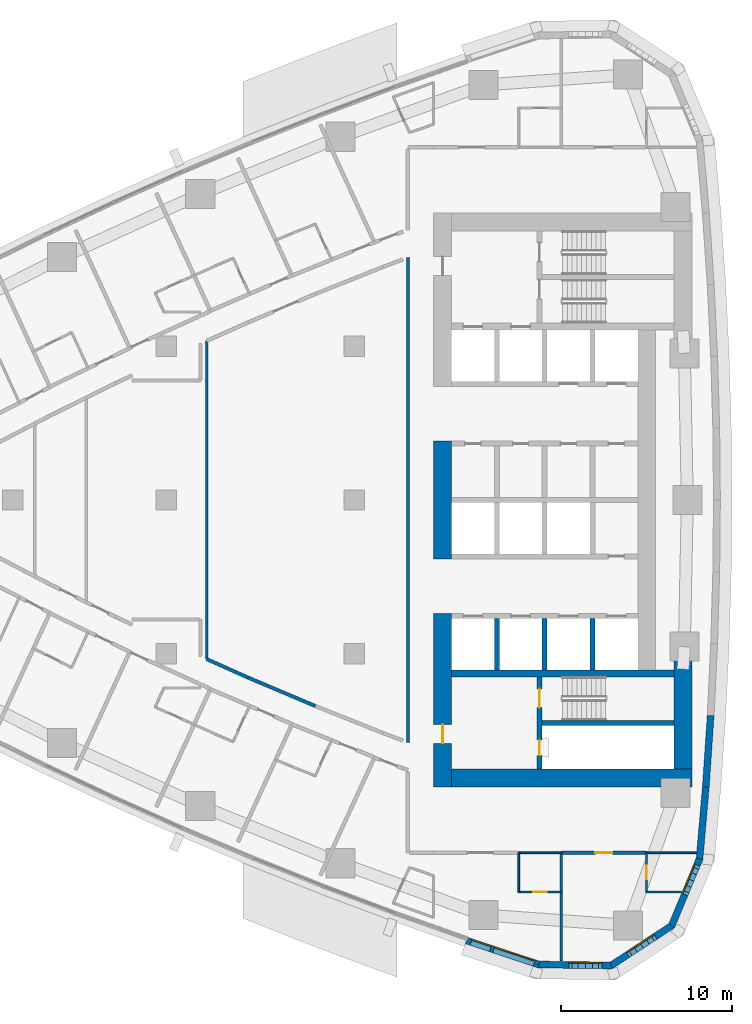
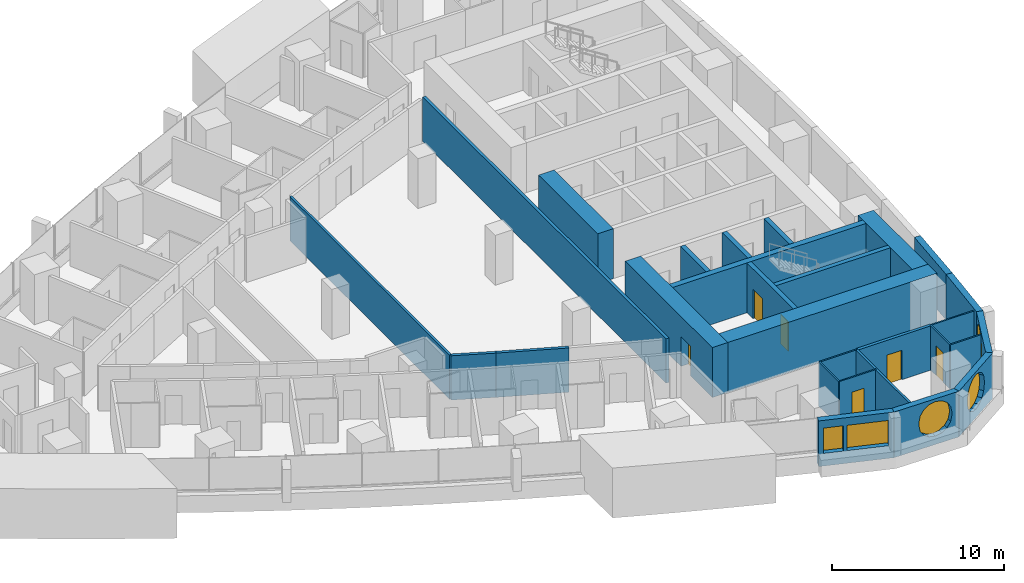
# One storey, part 10 of 17: 28 walls, 6 doors, 5 windows, 11 openings.
"""IFC4 building model written with IfcOpenShell, lengths in metres."""

from ifc_helpers import new_model, si_unit, direction, frame, frame_2d, origin, place, context, subcontext, project, spatial, polyline, rectangle, outline, extrude, material, layer, layer_set, type_object, element, fill, save


model = new_model("IFC4")

# Units and contexts
model_context = context("Model", 3, precision=1e-05, world=origin(), true_north=direction((0.0, 1.0)))
body_context = subcontext(model_context, "Body", "Model", "MODEL_VIEW")
ifc_project = project(units=[si_unit("LENGTHUNIT", "METRE"), si_unit("AREAUNIT", "SQUARE_METRE"), si_unit("VOLUMEUNIT", "CUBIC_METRE"), si_unit("PLANEANGLEUNIT", "RADIAN"), si_unit("MASSUNIT", "GRAM", prefix="KILO")], contexts=[model_context])

# Site, building, storey
site_placement = place(None, origin())
site = spatial("IfcSite", under=ifc_project, at=site_placement, CompositionType="ELEMENT")
building_placement = place(site_placement, origin())
building = spatial("IfcBuilding", under=site, at=building_placement, Name="Ostrand Prow Hotel Tower", CompositionType="ELEMENT")
storey_placement = place(building_placement, frame((0.0, 0.0, 116.85009765625)))
storey = spatial("IfcBuildingStorey", under=building, at=storey_placement, Name="L28", CompositionType="ELEMENT", Elevation=116.85009765625)

# Wall
ifc_material_1 = material(Name="Concrete C80/95", Category="concrete")
ifc_layer_1 = layer(ifc_material_1, 1.050048828125)
ifc_layer_set_1 = layer_set([ifc_layer_1], Name="Concrete C80/95")
wall_type_1 = type_object("IfcWallType", Name="Core wall 1050 C80/95", PredefinedType="SHEAR", material=ifc_layer_set_1)
wall_1_placement = place(storey_placement, frame((50.175048828125, -3.449951171875, 0.0), z_axis=(0.0, 0.0, 1.0), x_axis=(0.0, 1.0, 0.0)))
element("IfcWall", 1, at=wall_1_placement, inside=storey, type_object=wall_type_1, Name="Core wall CW-W-C", PredefinedType="SHEAR", context=body_context, shape_type="SweptSolid", body=[
    extrude(rectangle(XDim=6.89990234375, YDim=1.050048828125, at=frame_2d((3.449951171875, 0.0))), origin(), (0.0, 0.0, 1.0), 3.5498046875),
])

# Wall, opening, door
wall_2_placement = place(storey_placement, frame((50.175048828125, -16.800048828125, 0.0), z_axis=(0.0, 0.0, 1.0), x_axis=(0.0, 1.0, 0.0)))
wall_2 = element("IfcWall", 2, at=wall_2_placement, inside=storey, type_object=wall_type_1, Name="Core wall CW-W-S", PredefinedType="SHEAR", context=body_context, shape_type="SweptSolid", body=[
    extrude(rectangle(XDim=10.150146484375, YDim=1.050048828125, at=frame_2d((5.0751953125, 0.0))), origin(), (0.0, 0.0, 1.0), 3.5498046875),
])
opening_1_placement = place(wall_2_placement, frame((2.550048828125, 0.0, 0.0)))
opening_1 = element("IfcOpeningElement", 3, at=opening_1_placement, cuts=wall_2, Name="Opening FD1", PredefinedType="OPENING", context=body_context, shape_type="SweptSolid", body=[
    extrude(rectangle(XDim=1.10009765625, YDim=2.10009765625, at=frame_2d((0.550048828125, 1.050048828125))), frame((0.0, 0.534912109375, 0.0), z_axis=(0.0, -1.0, 0.0), x_axis=(1.0, 0.0, 0.0)), (0.0, 0.0, 1.0), 1.070068359375),
])
ifc_material_2 = material(Name="Steel fire door", Category="steel")
door_type_1 = type_object("IfcDoorType", Name="Fire door 1100 EI120", OperationType="SINGLE_SWING_RIGHT", PredefinedType="DOOR", material=ifc_material_2)
door_1_placement = place(opening_1_placement, origin())
door_1 = element("IfcDoor", 4, at=door_1_placement, inside=storey, type_object=door_type_1, Name="FIRE DOOR", OperationType="SINGLE_SWING_RIGHT", OverallHeight=2.10009765625, OverallWidth=1.10009765625, PredefinedType="DOOR", context=body_context, shape_type="SweptSolid", body=[
    extrude(rectangle(XDim=1.10009765625, YDim=2.10009765625, at=frame_2d((0.550048828125, 1.050048828125))), frame((0.0, 0.02490234375, 0.0), z_axis=(0.0, -1.0, 0.0), x_axis=(1.0, 0.0, 0.0)), (0.0, 0.0, 1.0), 0.050048828125),
])
fill(opening_1, door_1)

# Walls
wall_3_placement = place(storey_placement, frame((50.699951171875, -16.27490234375, 0.0), z_axis=(0.0, 0.0, 1.0), x_axis=(1.0, 0.0, 0.0)))
element("IfcWall", 5, at=wall_3_placement, inside=storey, type_object=wall_type_1, Name="Core wall CW-S", PredefinedType="SHEAR", context=body_context, shape_type="SweptSolid", body=[
    extrude(rectangle(XDim=14.070068359375, YDim=1.050048828125, at=frame_2d((7.03515625, 0.0))), origin(), (0.0, 0.0, 1.0), 3.5498046875),
])
wall_4_placement = place(storey_placement, frame((64.2451171875, -15.75, 0.0), z_axis=(0.0, 0.0, 1.0), x_axis=(0.0, 1.0, 0.0)))
element("IfcWall", 6, at=wall_4_placement, inside=storey, type_object=wall_type_1, Name="Core wall CW-E-S", PredefinedType="SHEAR", context=body_context, shape_type="SweptSolid", body=[
    extrude(rectangle(XDim=6.361328125, YDim=1.050048828125, at=frame_2d((3.1806640625, 0.0))), origin(), (0.0, 0.0, 1.0), 3.5498046875),
])
ifc_material_3 = material(Name="Concrete C80/95", Category="concrete")
ifc_layer_2 = layer(ifc_material_3, 0.300048828125)
ifc_layer_set_2 = layer_set([ifc_layer_2], Name="Concrete C80/95")
wall_type_2 = type_object("IfcWallType", Name="Core wall 300 C80/95", PredefinedType="SHEAR", material=ifc_layer_set_2)
for number, where, z_axis, x_axis, name in (
    (7, (53.35009765625, -9.949951171875, 0.0), (0.0, 0.0, 1.0), (0.0, 1.0, 0.0), "Core wall PW-R1-SA"),
    (8, (56.14990234375, -9.949951171875, 0.0), (0.0, 0.0, 1.0), (0.0, 1.0, 0.0), "Core wall PW-R2-SA"),
    (9, (58.949951171875, -9.949951171875, 0.0), (0.0, 0.0, 1.0), (0.0, 1.0, 0.0), "Core wall PW-R3-SA"),
):
    element("IfcWall", number, at=place(storey_placement, frame(where, z_axis=z_axis, x_axis=x_axis)), inside=storey, type_object=wall_type_2, Name=name, PredefinedType="SHEAR", context=body_context, shape_type="SweptSolid", body=[
        extrude(rectangle(XDim=3.0, YDim=0.300048828125, at=frame_2d((1.5, 0.0))), origin(), (0.0, 0.0, 1.0), 3.5498046875),
    ])

# Wall, openings, doors
wall_5_placement = place(storey_placement, frame((55.85009765625, -15.75, 0.0), z_axis=(0.0, 0.0, 1.0), x_axis=(0.0, 1.0, 0.0)))
wall_5 = element("IfcWall", 10, at=wall_5_placement, inside=storey, type_object=wall_type_2, Name="Core wall PW-VS", PredefinedType="SHEAR", context=body_context, shape_type="SweptSolid", body=[
    extrude(rectangle(XDim=5.39990234375, YDim=0.300048828125, at=frame_2d((2.699951171875, 0.0))), origin(), (0.0, 0.0, 1.0), 3.5498046875),
])
opening_2_placement = place(wall_5_placement, frame((3.60009765625, 0.0, 0.0)))
opening_2 = element("IfcOpeningElement", 11, at=opening_2_placement, cuts=wall_5, Name="Opening FD1", PredefinedType="OPENING", context=body_context, shape_type="SweptSolid", body=[
    extrude(rectangle(XDim=1.10009765625, YDim=2.10009765625, at=frame_2d((0.550048828125, 1.050048828125))), frame((0.0, 0.159912109375, 0.0), z_axis=(0.0, -1.0, 0.0), x_axis=(1.0, 0.0, 0.0)), (0.0, 0.0, 1.0), 0.320068359375),
])
opening_3_placement = place(wall_5_placement, frame((0.800048828125, 0.0, 0.0)))
opening_3 = element("IfcOpeningElement", 12, at=opening_3_placement, cuts=wall_5, Name="Opening FD2", PredefinedType="OPENING", context=body_context, shape_type="SweptSolid", body=[
    extrude(rectangle(XDim=0.89990234375, YDim=2.10009765625, at=frame_2d((0.449951171875, 1.050048828125))), frame((0.0, 0.159912109375, 0.0), z_axis=(0.0, -1.0, 0.0), x_axis=(1.0, 0.0, 0.0)), (0.0, 0.0, 1.0), 0.320068359375),
])
door_2_placement = place(opening_2_placement, origin())
door_2 = element("IfcDoor", 13, at=door_2_placement, inside=storey, type_object=door_type_1, Name="FIRE DOOR", OperationType="SINGLE_SWING_RIGHT", OverallHeight=2.10009765625, OverallWidth=1.10009765625, PredefinedType="DOOR", context=body_context, shape_type="SweptSolid", body=[
    extrude(rectangle(XDim=1.10009765625, YDim=2.10009765625, at=frame_2d((0.550048828125, 1.050048828125))), frame((0.0, 0.02490234375, 0.0), z_axis=(0.0, -1.0, 0.0), x_axis=(1.0, 0.0, 0.0)), (0.0, 0.0, 1.0), 0.050048828125),
])
fill(opening_2, door_2)
ifc_material_4 = material(Name="Steel fire door", Category="steel")
door_type_2 = type_object("IfcDoorType", Name="Fire door 900 EI120", OperationType="SINGLE_SWING_LEFT", PredefinedType="DOOR", material=ifc_material_4)
door_3_placement = place(opening_3_placement, origin())
door_3 = element("IfcDoor", 14, at=door_3_placement, inside=storey, type_object=door_type_2, Name="FIRE DOOR", OperationType="SINGLE_SWING_LEFT", OverallHeight=2.10009765625, OverallWidth=0.89990234375, PredefinedType="DOOR", context=body_context, shape_type="SweptSolid", body=[
    extrude(rectangle(XDim=0.89990234375, YDim=2.10009765625, at=frame_2d((0.449951171875, 1.050048828125))), frame((0.0, 0.02490234375, 0.0), z_axis=(0.0, -1.0, 0.0), x_axis=(1.0, 0.0, 0.0)), (0.0, 0.0, 1.0), 0.050048828125),
])
fill(opening_3, door_3)

# Walls
wall_6_placement = place(storey_placement, frame((56.0, -13.050048828125, 0.0), z_axis=(0.0, 0.0, 1.0), x_axis=(1.0, 0.0, 0.0)))
element("IfcWall", 15, at=wall_6_placement, inside=storey, type_object=wall_type_2, Name="Core wall PW-ST2R", PredefinedType="SHEAR", context=body_context, shape_type="SweptSolid", body=[
    extrude(rectangle(XDim=7.719970703125, YDim=0.300048828125, at=frame_2d((3.85986328125, 0.0))), origin(), (0.0, 0.0, 1.0), 3.5498046875),
])
ifc_material_5 = material(Name="Concrete C80/95", Category="concrete")
ifc_layer_3 = layer(ifc_material_5, 0.39990234375)
ifc_layer_set_3 = layer_set([ifc_layer_3], Name="Concrete C80/95")
wall_type_3 = type_object("IfcWallType", Name="Core wall 400 C80/95", PredefinedType="SHEAR", material=ifc_layer_set_3)
wall_7_placement = place(storey_placement, frame((50.699951171875, -10.14990234375, 0.0), z_axis=(0.0, 0.0, 1.0), x_axis=(1.0, 0.0, 0.0)))
element("IfcWall", 16, at=wall_7_placement, inside=storey, type_object=wall_type_3, Name="Core wall PW-BS", PredefinedType="SHEAR", context=body_context, shape_type="SweptSolid", body=[
    extrude(rectangle(XDim=13.02001953125, YDim=0.39990234375, at=frame_2d((6.510009765625, 0.0))), origin(), (0.0, 0.0, 1.0), 3.5498046875),
])
ifc_material_6 = material(Name="Plasterboard partition")
ifc_layer_4 = layer(ifc_material_6, 0.10009765625)
ifc_layer_set_4 = layer_set([ifc_layer_4], Name="Plasterboard partition")
wall_type_4 = type_object("IfcWallType", Name="Partition 100 bathroom wall", PredefinedType="PARTITIONING", material=ifc_layer_set_4)
wall_8_placement = place(storey_placement, frame((54.630615234375, -22.949951171875, 0.0), z_axis=(0.0, 0.0, 1.0), x_axis=(0.0, 1.0, 0.0)))
element("IfcWall", 17, at=wall_8_placement, inside=storey, type_object=wall_type_4, Name="BATHROOM WALL", PredefinedType="PARTITIONING", context=body_context, shape_type="SweptSolid", body=[
    extrude(rectangle(XDim=2.300048828125, YDim=0.10009765625, at=frame_2d((1.14990234375, 0.0))), origin(), (0.0, 0.0, 1.0), 3.14990234375),
])

# Wall, opening, door
wall_9_placement = place(storey_placement, frame((57.130615234375, -22.949951171875, 0.0), z_axis=(0.0, 0.0, 1.0), x_axis=(-1.0, 0.0, 0.0)))
wall_9 = element("IfcWall", 18, at=wall_9_placement, inside=storey, type_object=wall_type_4, Name="BATHROOM WALL", PredefinedType="PARTITIONING", context=body_context, shape_type="SweptSolid", body=[
    extrude(rectangle(XDim=2.5, YDim=0.10009765625, at=frame_2d((1.25, 0.0))), origin(), (0.0, 0.0, 1.0), 3.14990234375),
])
opening_4_placement = place(wall_9_placement, frame((0.85009765625, 0.0, 0.0)))
opening_4 = element("IfcOpeningElement", 19, at=opening_4_placement, cuts=wall_9, Name="Opening D2", PredefinedType="OPENING", context=body_context, shape_type="SweptSolid", body=[
    extrude(rectangle(XDim=0.800048828125, YDim=2.10009765625, at=frame_2d((0.39990234375, 1.050048828125))), frame((0.0, 0.06005859375, 0.0), z_axis=(0.0, -1.0, 0.0), x_axis=(1.0, 0.0, 0.0)), (0.0, 0.0, 1.0), 0.1201171875),
])
ifc_material_7 = material(Name="Timber door leaf", Category="wood")
door_type_3 = type_object("IfcDoorType", Name="Bathroom door 800", OperationType="SINGLE_SWING_LEFT", PredefinedType="DOOR", material=ifc_material_7)
door_4_placement = place(opening_4_placement, origin())
door_4 = element("IfcDoor", 20, at=door_4_placement, inside=storey, type_object=door_type_3, Name="DOOR", OperationType="SINGLE_SWING_LEFT", OverallHeight=2.10009765625, OverallWidth=0.800048828125, PredefinedType="DOOR", context=body_context, shape_type="SweptSolid", body=[
    extrude(rectangle(XDim=0.800048828125, YDim=2.10009765625, at=frame_2d((0.39990234375, 1.050048828125))), frame((0.0, 0.02490234375, 0.0), z_axis=(0.0, -1.0, 0.0), x_axis=(1.0, 0.0, 0.0)), (0.0, 0.0, 1.0), 0.050048828125),
])
fill(opening_4, door_4)

# Wall
wall_10_placement = place(storey_placement, frame((64.160400390625, -22.949951171875, 0.0), z_axis=(0.0, 0.0, 1.0), x_axis=(-1.0, 0.0, 0.0)))
element("IfcWall", 21, at=wall_10_placement, inside=storey, type_object=wall_type_4, Name="BATHROOM WALL", PredefinedType="PARTITIONING", context=body_context, shape_type="SweptSolid", body=[
    extrude(rectangle(XDim=2.04931640625, YDim=0.10009765625, at=frame_2d((1.024658203125, 0.0))), origin(), (0.0, 0.0, 1.0), 3.14990234375),
])

# Wall, opening, door
wall_11_placement = place(storey_placement, frame((62.111083984375, -22.949951171875, 0.0), z_axis=(0.0, 0.0, 1.0), x_axis=(0.0, 1.0, 0.0)))
wall_11 = element("IfcWall", 22, at=wall_11_placement, inside=storey, type_object=wall_type_4, Name="BATHROOM WALL", PredefinedType="PARTITIONING", context=body_context, shape_type="SweptSolid", body=[
    extrude(rectangle(XDim=2.300048828125, YDim=0.10009765625, at=frame_2d((1.14990234375, 0.0))), origin(), (0.0, 0.0, 1.0), 3.14990234375),
])
opening_5_placement = place(wall_11_placement, frame((0.75, 0.0, 0.0)))
opening_5 = element("IfcOpeningElement", 23, at=opening_5_placement, cuts=wall_11, Name="Opening D2", PredefinedType="OPENING", context=body_context, shape_type="SweptSolid", body=[
    extrude(rectangle(XDim=0.800048828125, YDim=2.10009765625, at=frame_2d((0.39990234375, 1.050048828125))), frame((0.0, 0.06005859375, 0.0), z_axis=(0.0, -1.0, 0.0), x_axis=(1.0, 0.0, 0.0)), (0.0, 0.0, 1.0), 0.1201171875),
])
door_5_placement = place(opening_5_placement, origin())
door_5 = element("IfcDoor", 24, at=door_5_placement, inside=storey, type_object=door_type_3, Name="DOOR", OperationType="SINGLE_SWING_LEFT", OverallHeight=2.10009765625, OverallWidth=0.800048828125, PredefinedType="DOOR", context=body_context, shape_type="SweptSolid", body=[
    extrude(rectangle(XDim=0.800048828125, YDim=2.10009765625, at=frame_2d((0.39990234375, 1.050048828125))), frame((0.0, 0.02490234375, 0.0), z_axis=(0.0, -1.0, 0.0), x_axis=(1.0, 0.0, 0.0)), (0.0, 0.0, 1.0), 0.050048828125),
])
fill(opening_5, door_5)

# Walls
wall_12_placement = place(storey_placement, frame((54.630615234375, -20.655029296875, 0.0), z_axis=(0.0, 0.0, 1.0), x_axis=(1.0, 0.0, 0.0)))
element("IfcWall", 25, at=wall_12_placement, inside=storey, type_object=wall_type_4, Name="BATHROOM WALL", PredefinedType="PARTITIONING", context=body_context, shape_type="SweptSolid", body=[
    extrude(rectangle(XDim=2.5, YDim=0.10009765625, at=frame_2d((1.25, 0.0))), origin(), (0.0, 0.0, 1.0), 3.14990234375),
])
wall_13_placement = place(storey_placement, frame((62.111083984375, -20.655029296875, 0.0), z_axis=(0.0, 0.0, 1.0), x_axis=(1.0, 0.0, 0.0)))
element("IfcWall", 26, at=wall_13_placement, inside=storey, type_object=wall_type_4, Name="BATHROOM WALL", PredefinedType="PARTITIONING", context=body_context, shape_type="SweptSolid", body=[
    extrude(rectangle(XDim=2.90576171875, YDim=0.10009765625, at=frame_2d((1.452880859375, 0.0))), origin(), (0.0, 0.0, 1.0), 3.14990234375),
])
ifc_material_8 = material(Name="Plasterboard partition")
ifc_layer_5 = layer(ifc_material_8, 0.14990234375)
ifc_layer_set_5 = layer_set([ifc_layer_5], Name="Plasterboard partition")
wall_type_5 = type_object("IfcWallType", Name="Partition 150 room partition", PredefinedType="PARTITIONING", material=ifc_layer_set_5)
wall_14_placement = place(storey_placement, frame((57.130615234375, -26.97900390625, 0.0), z_axis=(0.0, 0.0, 1.0), x_axis=(0.0, 1.0, 0.0)))
element("IfcWall", 27, at=wall_14_placement, inside=storey, type_object=wall_type_5, Name="ROOM PARTITION", PredefinedType="PARTITIONING", context=body_context, shape_type="SweptSolid", body=[
    extrude(rectangle(XDim=6.3291015625, YDim=0.14990234375, at=frame_2d((3.16455078125, 0.0))), origin(), (0.0, 0.0, 1.0), 3.14990234375),
])
wall_15_placement = place(storey_placement, frame((36.373779296875, -9.31689453125, 0.0), z_axis=(0.0, 0.0, 1.0), x_axis=(0.0, 1.0, 0.0)))
element("IfcWall", 28, at=wall_15_placement, inside=storey, type_object=wall_type_5, Name="ROOM PARTITION", PredefinedType="PARTITIONING", context=body_context, shape_type="SweptSolid", body=[
    extrude(rectangle(XDim=18.6337890625, YDim=0.14990234375, at=frame_2d((9.31689453125, 0.0))), origin(), (0.0, 0.0, 1.0), 3.14990234375),
])
ifc_material_9 = material(Name="Plasterboard partition")
ifc_layer_6 = layer(ifc_material_9, 0.199951171875)
ifc_layer_set_6 = layer_set([ifc_layer_6], Name="Plasterboard partition")
wall_type_6 = type_object("IfcWallType", Name="Partition 200 corridor wall", PredefinedType="PARTITIONING", material=ifc_layer_set_6)
wall_16_placement = place(storey_placement, frame((42.727783203125, -12.0615234375, 0.0), z_axis=(0.0, 0.0, 1.0), x_axis=(-0.921037415532, 0.389474105929, 0.0)))
element("IfcWall", 29, at=wall_16_placement, inside=storey, type_object=wall_type_6, Name="CORRIDOR WALL", PredefinedType="PARTITIONING", context=body_context, shape_type="SweptSolid", body=[
    extrude(rectangle(XDim=4.273193359375, YDim=0.199951171875, at=frame_2d((2.13671875, 0.0))), origin(), (0.0, 0.0, 1.0), 3.14990234375),
])
wall_17_placement = place(storey_placement, frame((38.7919921875, -10.397216796875, 0.0), z_axis=(0.0, 0.0, 1.0), x_axis=(-0.913030623494, 0.407891015544, 0.0)))
element("IfcWall", 30, at=wall_17_placement, inside=storey, type_object=wall_type_6, Name="CORRIDOR WALL", PredefinedType="PARTITIONING", context=body_context, shape_type="SweptSolid", body=[
    extrude(rectangle(XDim=2.6484375, YDim=0.199951171875, at=frame_2d((1.32421875, 0.0))), origin(), (0.0, 0.0, 1.0), 3.14990234375),
])

# Wall, opening, door
wall_18_placement = place(storey_placement, frame((57.135498046875, -20.655029296875, 0.0), z_axis=(0.0, 0.0, 1.0), x_axis=(1.0, 0.0, 0.0)))
wall_18 = element("IfcWall", 31, at=wall_18_placement, inside=storey, type_object=wall_type_6, Name="CORRIDOR WALL", PredefinedType="PARTITIONING", context=body_context, shape_type="SweptSolid", body=[
    extrude(rectangle(XDim=4.970703125, YDim=0.199951171875, at=frame_2d((2.4853515625, 0.0))), origin(), (0.0, 0.0, 1.0), 3.14990234375),
])
opening_6_placement = place(wall_18_placement, frame((1.9853515625, 0.0, 0.0)))
opening_6 = element("IfcOpeningElement", 32, at=opening_6_placement, cuts=wall_18, Name="Opening D1", PredefinedType="OPENING", context=body_context, shape_type="SweptSolid", body=[
    extrude(rectangle(XDim=1.0, YDim=2.10009765625, at=frame_2d((0.5, 1.050048828125))), frame((0.0, 0.10986328125, 0.0), z_axis=(0.0, -1.0, 0.0), x_axis=(1.0, 0.0, 0.0)), (0.0, 0.0, 1.0), 0.219970703125),
])
ifc_material_10 = material(Name="Timber door leaf", Category="wood")
door_type_4 = type_object("IfcDoorType", Name="Guest room door 1000", OperationType="SINGLE_SWING_LEFT", PredefinedType="DOOR", material=ifc_material_10)
door_6_placement = place(opening_6_placement, origin())
door_6 = element("IfcDoor", 33, at=door_6_placement, inside=storey, type_object=door_type_4, Name="DOOR", OperationType="SINGLE_SWING_LEFT", OverallHeight=2.10009765625, OverallWidth=1.0, PredefinedType="DOOR", context=body_context, shape_type="SweptSolid", body=[
    extrude(rectangle(XDim=1.0, YDim=2.10009765625, at=frame_2d((0.5, 1.050048828125))), frame((0.0, 0.02490234375, 0.0), z_axis=(0.0, -1.0, 0.0), x_axis=(1.0, 0.0, 0.0)), (0.0, 0.0, 1.0), 0.050048828125),
])
fill(opening_6, door_6)

# Wall
wall_19_placement = place(storey_placement, frame((48.14990234375, 14.188720703125, 0.0), z_axis=(0.0, 0.0, 1.0), x_axis=(0.0, -1.0, 0.0)))
element("IfcWall", 34, at=wall_19_placement, inside=storey, type_object=wall_type_6, Name="CORRIDOR WALL", PredefinedType="PARTITIONING", context=body_context, shape_type="SweptSolid", body=[
    extrude(rectangle(XDim=28.37744140625, YDim=0.199951171875, at=frame_2d((14.188720703125, 0.0))), origin(), (0.0, 0.0, 1.0), 3.14990234375),
])

# Wall, openings, windows
ifc_material_11 = material(Name="Precast concrete C40/50", Category="concrete")
ifc_layer_7 = layer(ifc_material_11, 0.39990234375)
ifc_layer_set_7 = layer_set([ifc_layer_7], Name="Precast concrete C40/50")
wall_type_7 = type_object("IfcWallType", Name="Stone-faced precast wall 400 mm", PredefinedType="NOTDEFINED", material=ifc_layer_set_7)
wall_20_placement = place(storey_placement, frame((51.56884765625, -25.786865234375, 0.0), z_axis=(0.0, 0.0, 1.0), x_axis=(0.94925004851, -0.314522408429, 0.0)))
wall_20 = element("IfcWall", 35, at=wall_20_placement, inside=storey, type_object=wall_type_7, Name="Stone-faced wall back 1", PredefinedType="NOTDEFINED", context=body_context, shape_type="SweptSolid", body=[
    extrude(outline(polyline([(0.0, -0.199951171875), (4.4990234375, -0.199951171875), (4.43701171875, 0.199951171875), (0.0, 0.199951171875), (0.0, -0.199951171875)])), origin(), (0.0, 0.0, 1.0), 3.25),
])
opening_7_placement = place(wall_20_placement, frame((0.283935546875, 0.0, 0.89990234375)))
opening_7 = element("IfcOpeningElement", 36, at=opening_7_placement, cuts=wall_20, Name="Opening WS4", PredefinedType="OPENING", context=body_context, shape_type="SweptSolid", body=[
    extrude(rectangle(XDim=1.199951171875, YDim=1.800048828125, at=frame_2d((0.60009765625, 0.89990234375))), frame((0.0, 0.2099609375, 0.0), z_axis=(0.0, -1.0, 0.0), x_axis=(1.0, 0.0, 0.0)), (0.0, 0.0, 1.0), 0.419921875),
])
opening_8_placement = place(wall_20_placement, frame((1.68408203125, 0.0, 0.89990234375)))
opening_8 = element("IfcOpeningElement", 37, at=opening_8_placement, cuts=wall_20, Name="Opening WS5-25", PredefinedType="OPENING", context=body_context, shape_type="SweptSolid", body=[
    extrude(rectangle(XDim=2.5, YDim=1.800048828125, at=frame_2d((1.25, 0.89990234375))), frame((0.0, 0.2099609375, 0.0), z_axis=(0.0, -1.0, 0.0), x_axis=(1.0, 0.0, 0.0)), (0.0, 0.0, 1.0), 0.419921875),
])
ifc_material_12 = material(Name="Insulated glass in bronze frame", Category="glass")
window_type_1 = type_object("IfcWindowType", Name="Fixed strip window 2500x1800", PartitioningType="SINGLE_PANEL", PredefinedType="WINDOW", material=ifc_material_12)
window_1_placement = place(opening_8_placement, origin())
window_1 = element("IfcWindow", 38, at=window_1_placement, inside=storey, type_object=window_type_1, Name="Window back 1.2", OverallHeight=1.800048828125, OverallWidth=2.5, PartitioningType="SINGLE_PANEL", PredefinedType="WINDOW", context=body_context, shape_type="SweptSolid", body=[
    extrude(rectangle(XDim=2.5, YDim=1.800048828125, at=frame_2d((1.25, 0.89990234375))), frame((0.0, 0.169921875, 0.0), z_axis=(0.0, -1.0, 0.0), x_axis=(1.0, 0.0, 0.0)), (0.0, 0.0, 1.0), 0.06005859375),
])
fill(opening_8, window_1)
ifc_material_13 = material(Name="Insulated glass in bronze frame", Category="glass")
window_type_2 = type_object("IfcWindowType", Name="Operable strip panel 1200x1800", PartitioningType="SINGLE_PANEL", PredefinedType="WINDOW", material=ifc_material_13)
window_2_placement = place(opening_7_placement, origin())
window_2 = element("IfcWindow", 39, at=window_2_placement, inside=storey, type_object=window_type_2, Name="Window back 1.1", OverallHeight=1.800048828125, OverallWidth=1.199951171875, PartitioningType="SINGLE_PANEL", PredefinedType="WINDOW", context=body_context, shape_type="SweptSolid", body=[
    extrude(rectangle(XDim=1.199951171875, YDim=1.800048828125, at=frame_2d((0.60009765625, 0.89990234375))), frame((0.0, 0.169921875, 0.0), z_axis=(0.0, -1.0, 0.0), x_axis=(1.0, 0.0, 0.0)), (0.0, 0.0, 1.0), 0.06005859375),
])
fill(opening_7, window_2)

# Wall, opening, window
wall_21_placement = place(storey_placement, frame((55.81005859375, -27.192138671875, 0.0), z_axis=(0.0, 0.0, 1.0), x_axis=(0.999919718849, -0.012671063772, 0.0)))
wall_21 = element("IfcWall", 40, at=wall_21_placement, inside=storey, type_object=wall_type_7, Name="Stone-faced wall back 2", PredefinedType="NOTDEFINED", context=body_context, shape_type="SweptSolid", body=[
    extrude(outline(polyline([(-0.031005859375, -0.199951171875), (4.300048828125, -0.199951171875), (4.177490234375, 0.199951171875), (0.031005859375, 0.199951171875), (-0.031005859375, -0.199951171875)])), origin(), (0.0, 0.0, 1.0), 3.25),
])
opening_9_placement = place(wall_21_placement, frame((1.620849609375, 0.0, 0.60009765625)))
opening_9 = element("IfcOpeningElement", 41, at=opening_9_placement, cuts=wall_21, Name="Opening WP1", PredefinedType="OPENING", context=body_context, shape_type="SweptSolid", body=[
    extrude(outline(polyline([(0.0, 1.35009765625), (0.083740234375, 1.77099609375), (0.322265625, 2.127685546875), (0.678955078125, 2.3662109375), (1.10009765625, 2.449951171875), (1.52099609375, 2.3662109375), (1.877685546875, 2.127685546875), (2.1162109375, 1.77099609375), (2.199951171875, 1.35009765625), (2.199951171875, 1.10009765625), (2.1162109375, 0.678955078125), (1.877685546875, 0.322265625), (1.52099609375, 0.083740234375), (1.10009765625, 0.0), (0.678955078125, 0.083740234375), (0.322265625, 0.322265625), (0.083740234375, 0.678955078125), (0.0, 1.099853515625), (0.0, 1.35009765625)])), frame((0.0, 0.2099609375, 0.0), z_axis=(0.0, -1.0, 0.0), x_axis=(1.0, 0.0, 0.0)), (0.0, 0.0, 1.0), 0.419921875),
])
ifc_material_14 = material(Name="Insulated glass in bronze frame", Category="glass")
window_type_3 = type_object("IfcWindowType", Name="Round-ended prow window 2200x2450", PartitioningType="SINGLE_PANEL", PredefinedType="WINDOW", material=ifc_material_14)
window_3_placement = place(opening_9_placement, origin())
window_3 = element("IfcWindow", 42, at=window_3_placement, inside=storey, type_object=window_type_3, Name="Window back 2.1", OverallHeight=2.449951171875, OverallWidth=2.199951171875, PartitioningType="SINGLE_PANEL", PredefinedType="WINDOW", context=body_context, shape_type="SweptSolid", body=[
    extrude(outline(polyline([(0.0, 1.35009765625), (0.083740234375, 1.77099609375), (0.322265625, 2.127685546875), (0.678955078125, 2.3662109375), (1.10009765625, 2.449951171875), (1.52099609375, 2.3662109375), (1.877685546875, 2.127685546875), (2.1162109375, 1.77099609375), (2.199951171875, 1.35009765625), (2.199951171875, 1.10009765625), (2.1162109375, 0.678955078125), (1.877685546875, 0.322265625), (1.52099609375, 0.083740234375), (1.10009765625, 0.0), (0.678955078125, 0.083740234375), (0.322265625, 0.322265625), (0.083740234375, 0.678955078125), (0.0, 1.099853515625), (0.0, 1.35009765625)])), frame((0.0, 0.169921875, 0.0), z_axis=(0.0, -1.0, 0.0), x_axis=(1.0, 0.0, 0.0)), (0.0, 0.0, 1.0), 0.06005859375),
])
fill(opening_9, window_3)

wall_22_placement = place(storey_placement, frame((60.048583984375, -27.245849609375, 0.0), z_axis=(0.0, 0.0, 1.0), x_axis=(0.835340523653, 0.549732852887, 0.0)))
wall_22 = element("IfcWall", 43, at=wall_22_placement, inside=storey, type_object=wall_type_7, Name="Stone-faced wall back 3", PredefinedType="NOTDEFINED", context=body_context, shape_type="SweptSolid", body=[
    extrude(outline(polyline([(-0.061279296875, -0.199951171875), (4.30029296875, -0.199951171875), (4.177734375, 0.199951171875), (0.061279296875, 0.199951171875), (-0.061279296875, -0.199951171875)])), origin(), (0.0, 0.0, 1.0), 3.25),
])
opening_10_placement = place(wall_22_placement, frame((1.01953125, 0.0, 0.60009765625)))
opening_10 = element("IfcOpeningElement", 44, at=opening_10_placement, cuts=wall_22, Name="Opening WP1", PredefinedType="OPENING", context=body_context, shape_type="SweptSolid", body=[
    extrude(outline(polyline([(0.0, 1.35009765625), (0.083740234375, 1.77099609375), (0.322265625, 2.127685546875), (0.678955078125, 2.3662109375), (1.10009765625, 2.449951171875), (1.52099609375, 2.3662109375), (1.877685546875, 2.127685546875), (2.1162109375, 1.77099609375), (2.199951171875, 1.35009765625), (2.199951171875, 1.10009765625), (2.1162109375, 0.678955078125), (1.877685546875, 0.322265625), (1.52099609375, 0.083740234375), (1.10009765625, 0.0), (0.678955078125, 0.083740234375), (0.322265625, 0.322265625), (0.083740234375, 0.678955078125), (0.0, 1.099853515625), (0.0, 1.35009765625)])), frame((0.0, 0.2099609375, 0.0), z_axis=(0.0, -1.0, 0.0), x_axis=(1.0, 0.0, 0.0)), (0.0, 0.0, 1.0), 0.419921875),
])
window_4_placement = place(opening_10_placement, origin())
window_4 = element("IfcWindow", 45, at=window_4_placement, inside=storey, type_object=window_type_3, Name="Window back 3.1", OverallHeight=2.449951171875, OverallWidth=2.199951171875, PartitioningType="SINGLE_PANEL", PredefinedType="WINDOW", context=body_context, shape_type="SweptSolid", body=[
    extrude(outline(polyline([(0.0, 1.35009765625), (0.083740234375, 1.77099609375), (0.322265625, 2.127685546875), (0.678955078125, 2.3662109375), (1.10009765625, 2.449951171875), (1.52099609375, 2.3662109375), (1.877685546875, 2.127685546875), (2.1162109375, 1.77099609375), (2.199951171875, 1.35009765625), (2.199951171875, 1.10009765625), (2.1162109375, 0.678955078125), (1.877685546875, 0.322265625), (1.52099609375, 0.083740234375), (1.10009765625, 0.0), (0.678955078125, 0.083740234375), (0.322265625, 0.322265625), (0.083740234375, 0.678955078125), (0.0, 1.099853515625), (0.0, 1.35009765625)])), frame((0.0, 0.169921875, 0.0), z_axis=(0.0, -1.0, 0.0), x_axis=(1.0, 0.0, 0.0)), (0.0, 0.0, 1.0), 0.06005859375),
])
fill(opening_10, window_4)

wall_23_placement = place(storey_placement, frame((63.589599609375, -24.91552734375, 0.0), z_axis=(0.0, 0.0, 1.0), x_axis=(0.383997751971, 0.923334027577, 0.0)))
wall_23 = element("IfcWall", 46, at=wall_23_placement, inside=storey, type_object=wall_type_7, Name="Stone-faced wall back 4", PredefinedType="NOTDEFINED", context=body_context, shape_type="SweptSolid", body=[
    extrude(outline(polyline([(-0.061279296875, -0.199951171875), (4.269775390625, -0.199951171875), (4.207763671875, 0.199951171875), (0.061279296875, 0.199951171875), (-0.061279296875, -0.199951171875)])), origin(), (0.0, 0.0, 1.0), 3.25),
])
opening_11_placement = place(wall_23_placement, frame((1.852294921875, 0.0, 0.60009765625)))
opening_11 = element("IfcOpeningElement", 47, at=opening_11_placement, cuts=wall_23, Name="Opening WP1-21", PredefinedType="OPENING", context=body_context, shape_type="SweptSolid", body=[
    extrude(outline(polyline([(0.0, 1.39990234375), (0.079833984375, 1.8017578125), (0.3076171875, 2.142333984375), (0.648193359375, 2.3701171875), (1.050048828125, 2.449951171875), (1.451904296875, 2.3701171875), (1.79248046875, 2.142333984375), (2.020263671875, 1.8017578125), (2.10009765625, 1.39990234375), (2.10009765625, 1.050048828125), (2.020263671875, 0.648193359375), (1.79248046875, 0.3076171875), (1.451904296875, 0.079833984375), (1.050048828125, 0.0), (0.648193359375, 0.079833984375), (0.3076171875, 0.3076171875), (0.079833984375, 0.648193359375), (0.0, 1.050048828125), (0.0, 1.39990234375)])), frame((0.0, 0.2099609375, 0.0), z_axis=(0.0, -1.0, 0.0), x_axis=(1.0, 0.0, 0.0)), (0.0, 0.0, 1.0), 0.419921875),
])
ifc_material_15 = material(Name="Insulated glass in bronze frame", Category="glass")
window_type_4 = type_object("IfcWindowType", Name="Round-ended prow window 2100x2450", PartitioningType="SINGLE_PANEL", PredefinedType="WINDOW", material=ifc_material_15)
window_5_placement = place(opening_11_placement, origin())
window_5 = element("IfcWindow", 48, at=window_5_placement, inside=storey, type_object=window_type_4, Name="Window back 4.1", OverallHeight=2.449951171875, OverallWidth=2.10009765625, PartitioningType="SINGLE_PANEL", PredefinedType="WINDOW", context=body_context, shape_type="SweptSolid", body=[
    extrude(outline(polyline([(0.0, 1.39990234375), (0.079833984375, 1.8017578125), (0.3076171875, 2.142333984375), (0.648193359375, 2.3701171875), (1.050048828125, 2.449951171875), (1.451904296875, 2.3701171875), (1.79248046875, 2.142333984375), (2.020263671875, 1.8017578125), (2.10009765625, 1.39990234375), (2.10009765625, 1.050048828125), (2.020263671875, 0.648193359375), (1.79248046875, 0.3076171875), (1.451904296875, 0.079833984375), (1.050048828125, 0.0), (0.648193359375, 0.079833984375), (0.3076171875, 0.3076171875), (0.079833984375, 0.648193359375), (0.0, 1.050048828125), (0.0, 1.39990234375)])), frame((0.0, 0.169921875, 0.0), z_axis=(0.0, -1.0, 0.0), x_axis=(1.0, 0.0, 0.0)), (0.0, 0.0, 1.0), 0.06005859375),
])
fill(opening_11, window_5)

# Walls
wall_24_placement = place(storey_placement, frame((65.21728515625, -21.001708984375, 0.0), z_axis=(0.0, 0.0, 1.0), x_axis=(0.086992730434, 0.996208946382, 0.0)))
element("IfcWall", 49, at=wall_24_placement, inside=storey, type_object=wall_type_7, Name="Stone-faced wall back 5", PredefinedType="NOTDEFINED", context=body_context, shape_type="SweptSolid", body=[
    extrude(outline(polyline([(-0.031005859375, -0.199951171875), (4.208740234375, -0.199951171875), (4.204833984375, 0.199951171875), (0.031005859375, 0.199951171875), (-0.031005859375, -0.199951171875)])), origin(), (0.0, 0.0, 1.0), 3.25),
])
wall_25_placement = place(storey_placement, frame((65.583251953125, -16.810791015625, 0.0), z_axis=(0.0, 0.0, 1.0), x_axis=(0.067724559895, 0.997704056315, 0.0)))
element("IfcWall", 50, at=wall_25_placement, inside=storey, type_object=wall_type_7, Name="Stone-faced wall back 6", PredefinedType="NOTDEFINED", context=body_context, shape_type="SweptSolid", body=[
    extrude(outline(polyline([(-0.001953125, -0.199951171875), (4.208984375, -0.199951171875), (4.205078125, 0.199951171875), (0.001953125, 0.199951171875), (-0.001953125, -0.199951171875)])), origin(), (0.0, 0.0, 1.0), 3.25),
])

save(model, "model.ifc")
